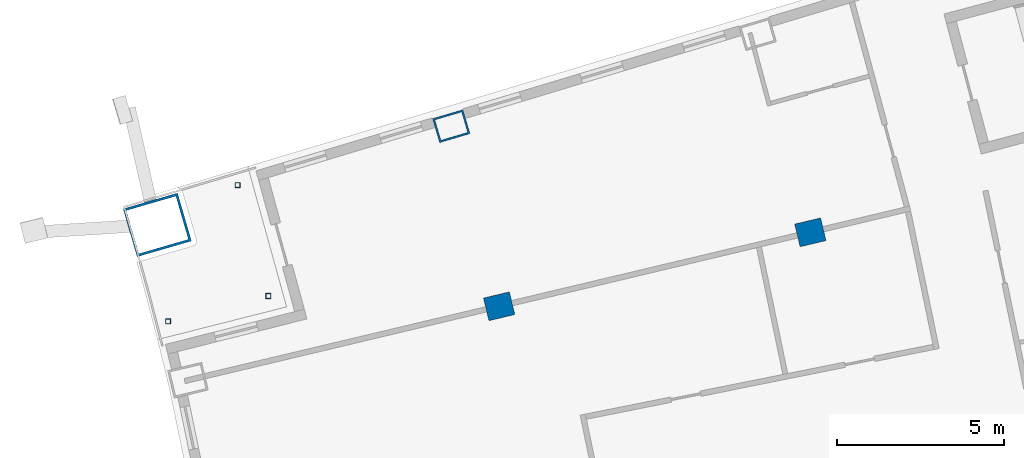
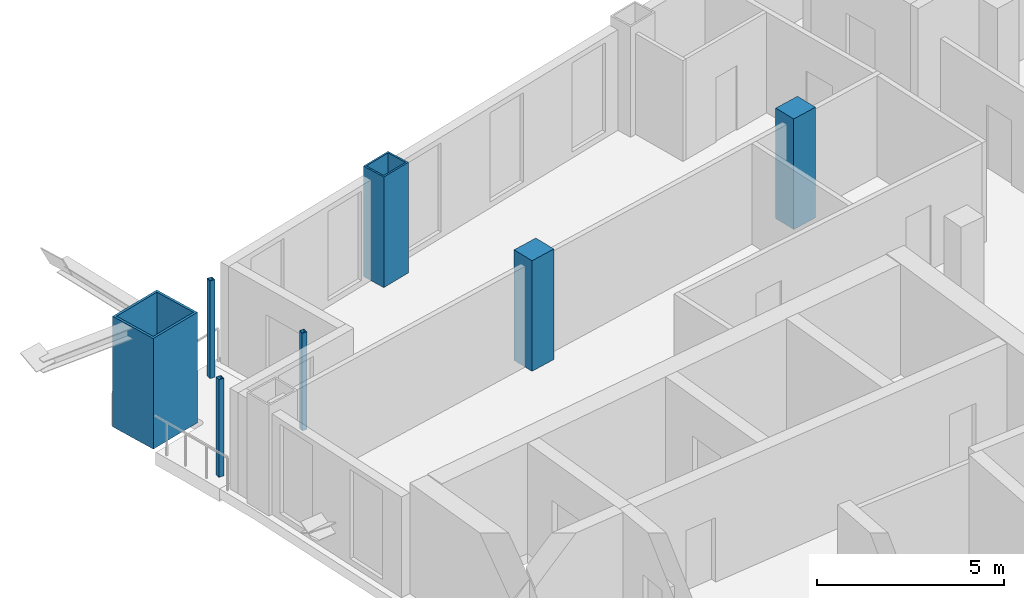
# One storey, part 7 of 21: 7 columns.
"""IFC4 building model written with IfcOpenShell, lengths in metres."""

from ifc_helpers import new_model, si_unit, direction, frame, origin, origin_2d, place, context, subcontext, project, spatial, rectangle, hollow_rectangle, extrude, material, material_profile, profile_set, type_object, element, save


model = new_model("IFC4")

# Units and contexts
model_context = context("Model", 3, precision=1e-05, world=origin(), true_north=direction((0.0, 1.0)))
body_context = subcontext(model_context, "Body", "Model", "MODEL_VIEW")
ifc_project = project(units=[si_unit("LENGTHUNIT", "METRE"), si_unit("AREAUNIT", "SQUARE_METRE"), si_unit("VOLUMEUNIT", "CUBIC_METRE"), si_unit("PLANEANGLEUNIT", "RADIAN"), si_unit("MASSUNIT", "GRAM", prefix="KILO")], contexts=[model_context])

# Site, building, storey
site_placement = place(None, origin())
site = spatial("IfcSite", under=ifc_project, at=site_placement, CompositionType="ELEMENT")
building_placement = place(site_placement, origin())
building = spatial("IfcBuilding", under=site, at=building_placement, Name="Alderwake Tower", CompositionType="ELEMENT")
storey_placement = place(building_placement, frame((0.0, 0.0, 207.199951171875)))
storey = spatial("IfcBuildingStorey", under=building, at=storey_placement, Name="L51", CompositionType="ELEMENT", Elevation=207.199951171875)

# Columns
ifc_material_1 = material(Name="Steel ASTM A572 Grade 50 concrete filled C70/85", Category="concrete")
ifc_material_profile_1 = material_profile(ifc_material_1, hollow_rectangle(XDim=0.75, YDim=0.949951171875, WallThickness=0.054931640625, at=origin_2d()), Name="BOX 950X750X55")
ifc_profile_set_1 = profile_set([ifc_material_profile_1], Name="Steel ASTM A572 Grade 50 concrete filled C70/85")
column_type_1 = type_object("IfcColumnType", Name="End column Z4", PredefinedType="COLUMN", material=ifc_profile_set_1)
column_1_placement = place(storey_placement, frame((21.885498046875, 90.96240234375, 0.0), z_axis=(0.0, 0.0, 1.0), x_axis=(-0.282132160283, 0.95937554906, 0.0)))
element("IfcColumn", 1, at=column_1_placement, inside=storey, type_object=column_type_1, Name="Column R12-C1", PredefinedType="COLUMN", context=body_context, shape_type="SweptSolid", body=[
    extrude(hollow_rectangle(XDim=0.75, YDim=0.949951171875, WallThickness=0.054931640625, at=origin_2d()), origin(), (0.0, 0.0, 1.0), 3.60009765625),
])
ifc_material_2 = material(Name="Concrete C70/85", Category="concrete")
ifc_material_profile_2 = material_profile(ifc_material_2, rectangle(XDim=0.699951171875, YDim=0.800048828125, at=origin_2d()), Name="RC 800X700")
ifc_profile_set_2 = profile_set([ifc_material_profile_2], Name="Concrete C70/85")
column_type_2 = type_object("IfcColumnType", Name="Interior column Z4", PredefinedType="COLUMN", material=ifc_profile_set_2)
for number, where, z_axis, x_axis, name in (
    (2, (23.322021484375, 85.555908203125, 0.0), (0.0, 0.0, 1.0), (-0.231221547198, 0.972901123502, 0.0), "Column R11-C1"),
    (3, (32.661865234375, 87.775390625, 0.0), (0.0, 0.0, 1.0), (-0.231221547198, 0.972901123502, 0.0), "Column R11-C2"),
):
    element("IfcColumn", number, at=place(storey_placement, frame(where, z_axis=z_axis, x_axis=x_axis)), inside=storey, type_object=column_type_2, Name=name, PredefinedType="COLUMN", context=body_context, shape_type="SweptSolid", body=[
        extrude(rectangle(XDim=0.699951171875, YDim=0.800048828125, at=origin_2d()), origin(), (0.0, 0.0, 1.0), 3.60009765625),
    ])
ifc_material_3 = material(Name="Steel ASTM A500 Grade C", Category="steel")
ifc_material_profile_3 = material_profile(ifc_material_3, hollow_rectangle(XDim=0.15234375, YDim=0.15234375, WallThickness=0.0087890625, at=origin_2d()), Name="HSS6X6X3/8")
ifc_profile_set_3 = profile_set([ifc_material_profile_3], Name="Steel ASTM A500 Grade C")
column_type_3 = type_object("IfcColumnType", Name="Light post HSS6X6X3/8", PredefinedType="COLUMN", material=ifc_profile_set_3)
for number, where, z_axis, x_axis, name in (
    (4, (13.3896484375, 85.103515625, 0.0), (0.0, 0.0, 1.0), (1.0, 0.0, 0.0), "Terrace post RN1"),
    (5, (15.47412109375, 89.194091796875, 0.0), (0.0, 0.0, 1.0), (1.0, 0.0, 0.0), "Terrace post RN2"),
    (6, (16.39501953125, 85.864013671875, 0.0), (0.0, 0.0, 1.0), (1.0, 0.0, 0.0), "Terrace post RN3"),
):
    element("IfcColumn", number, at=place(storey_placement, frame(where, z_axis=z_axis, x_axis=x_axis)), inside=storey, type_object=column_type_3, Name=name, PredefinedType="COLUMN", context=body_context, shape_type="SweptSolid", body=[
        extrude(hollow_rectangle(XDim=0.15234375, YDim=0.15234375, WallThickness=0.0087890625, at=origin_2d()), origin(), (0.0, 0.0, 1.0), 3.179931640625),
    ])
ifc_material_4 = material(Name="Steel ASTM A572 Grade 50 concrete filled C70/85", Category="concrete")
ifc_material_profile_4 = material_profile(ifc_material_4, hollow_rectangle(XDim=1.5, YDim=1.699951171875, WallThickness=0.074951171875, at=origin_2d()), Name="BOX 1700X1500X75")
ifc_profile_set_4 = profile_set([ifc_material_profile_4], Name="Steel ASTM A572 Grade 50 concrete filled C70/85")
column_type_4 = type_object("IfcColumnType", Name="Mega column Z4", PredefinedType="COLUMN", material=ifc_profile_set_4)
column_2_placement = place(storey_placement, frame((13.06298828125, 87.99755859375, 0.0), z_axis=(0.0, 0.0, 1.0), x_axis=(-0.278612301868, 0.960403657452, 0.0)))
element("IfcColumn", 7, at=column_2_placement, inside=storey, type_object=column_type_4, Name="Column R12-C0", PredefinedType="COLUMN", context=body_context, shape_type="SweptSolid", body=[
    extrude(hollow_rectangle(XDim=1.5, YDim=1.699951171875, WallThickness=0.074951171875, at=origin_2d()), origin(), (0.0, 0.0, 1.0), 3.60009765625),
])

save(model, "model.ifc")
